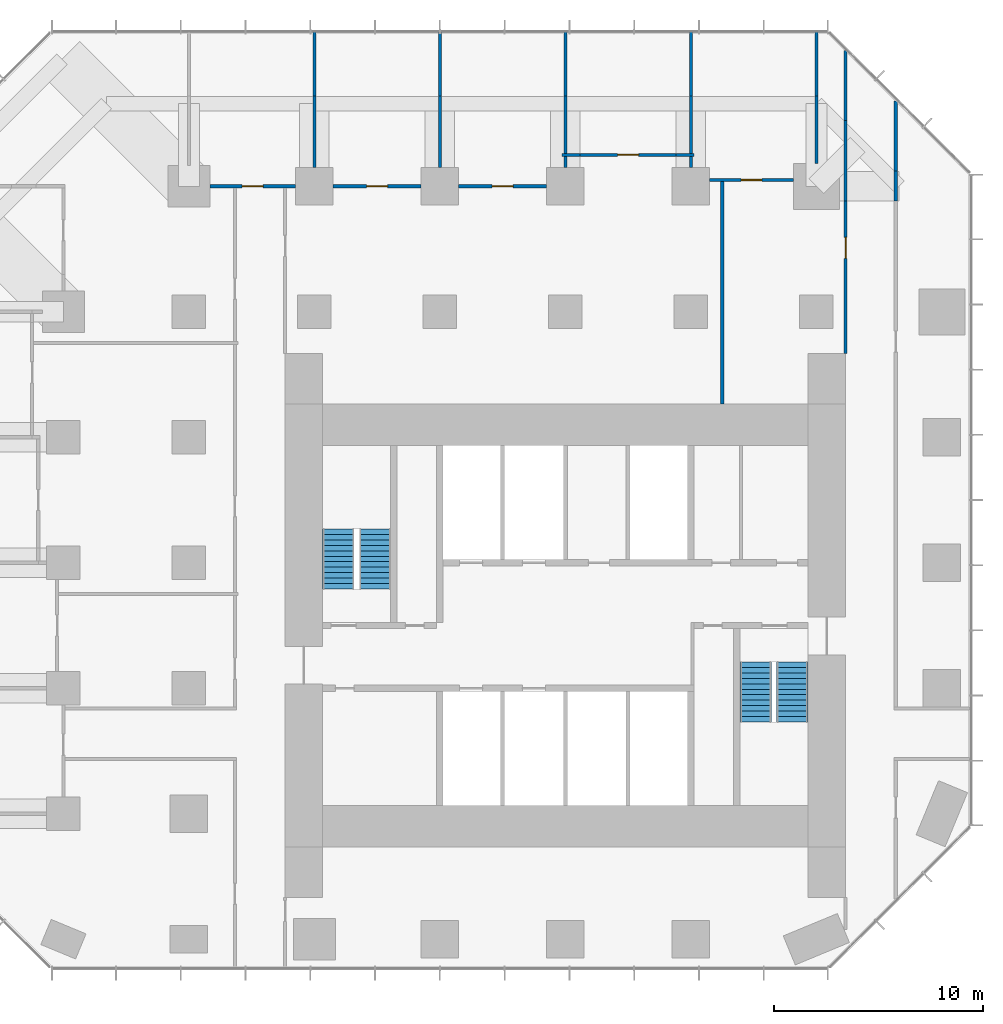
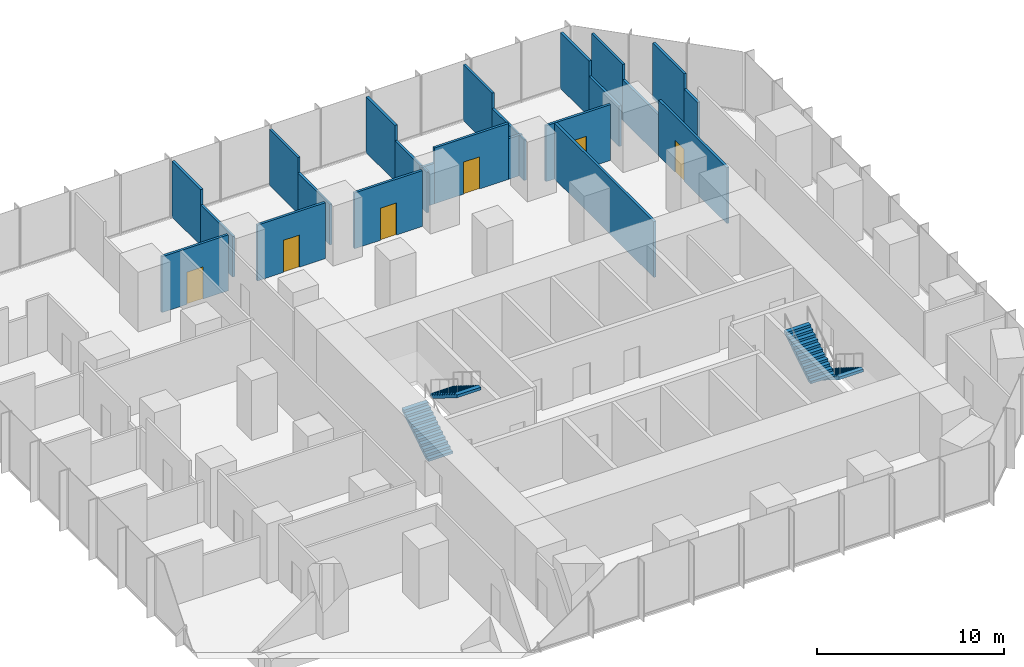
# One storey, part 10 of 11: 25 walls, 6 doors, 4 stair flights, 6 openings, 2 elements without a shape of their own.
"""IFC4 building model written with IfcOpenShell, lengths in metres."""

import ifcopenshell
import ifcopenshell.guid

model = None  # the IFC model being written
_history = None  # IfcOwnerHistory: only IFC2X3 demands one
_inside = {}  # id of a spatial element -> (the spatial element, [elements in it])
_under = {}  # id of a project, library or spatial element -> (it, [spatial elements below it])
_declared = {}  # id of a project -> (the project, [libraries it declares])
_typed = {}  # id of a type object -> (the type object, [elements of that type])
_made_of = {}  # id of a material, layer set ... -> (it, [elements and type objects made of it])


def new_model(schema):
    """Start an empty IFC model of exactly this schema.

    Asked for "IFC4X3", IfcOpenShell would pick the latest addendum, in which some entities
    have other attributes; the version numbers below select the first issue.
    IFC2X3 requires an IfcOwnerHistory on every rooted entity: one is made here for all.
    """
    global model, _history
    if schema == "IFC4X3":
        model = ifcopenshell.file(schema_version=(4, 3, 0, 0))
    else:
        model = ifcopenshell.file(schema=schema)
    _inside.clear()
    _under.clear()
    _declared.clear()
    _typed.clear()
    _made_of.clear()
    _history = None
    if model.schema == "IFC2X3":
        org = make("IfcOrganization", Name="unknown")
        user = make(
            "IfcPersonAndOrganization",
            ThePerson=make("IfcPerson", FamilyName="unknown"),
            TheOrganization=org,
        )
        app = make(
            "IfcApplication",
            ApplicationDeveloper=org,
            Version="unknown",
            ApplicationFullName="unknown",
            ApplicationIdentifier="unknown",
        )
        _history = make(
            "IfcOwnerHistory",
            OwningUser=user,
            OwningApplication=app,
            ChangeAction="ADDED",
            CreationDate=0,
        )
    return model


def make(cls, **values):
    """One entity of the class cls with the attributes given. An attribute that is None is left unset."""
    return model.create_entity(
        cls, **{name: value for name, value in values.items() if value is not None}
    )


def rooted(cls, **values):
    """An entity with a GlobalId (a new one), such as an element, a storey or a relation."""
    return make(cls, GlobalId=ifcopenshell.guid.new(), OwnerHistory=_history, **values)


def si_unit(unit_type, name, prefix=None):
    """IfcSIUnit, for example si_unit("LENGTHUNIT", "METRE", prefix="MILLI")."""
    return make("IfcSIUnit", UnitType=unit_type, Prefix=prefix, Name=name)


def assignment(units):
    """IfcUnitAssignment: the units of a project."""
    return None if units is None else make("IfcUnitAssignment", Units=units)


def point(xyz):
    """IfcCartesianPoint."""
    return None if xyz is None else make("IfcCartesianPoint", Coordinates=xyz)


def direction(xyz):
    """IfcDirection."""
    return None if xyz is None else make("IfcDirection", DirectionRatios=xyz)


def frame(location, z_axis=None, x_axis=None):
    """IfcAxis2Placement3D, a coordinate frame: its origin and axes. An axis left out is left unset."""
    return make(
        "IfcAxis2Placement3D",
        Location=point(location),
        Axis=direction(z_axis),
        RefDirection=direction(x_axis),
    )


def frame_2d(location, x_axis=None):
    """IfcAxis2Placement2D, a coordinate frame in the plane: its origin and x axis."""
    return make(
        "IfcAxis2Placement2D", Location=point(location), RefDirection=direction(x_axis)
    )


def origin():
    """The frame at (0, 0, 0) with its axes left unset."""
    return frame((0.0, 0.0, 0.0))


def place(relative_to, where):
    """IfcLocalPlacement: puts the frame where relative to a parent placement (None: the world)."""
    return make(
        "IfcLocalPlacement", PlacementRelTo=relative_to, RelativePlacement=where
    )


def context(
    kind, dimensions, precision=None, world=None, true_north=None, identifier=None
):
    """IfcGeometricRepresentationContext, for example the 3D "Model" context."""
    return make(
        "IfcGeometricRepresentationContext",
        ContextIdentifier=identifier,
        ContextType=kind,
        CoordinateSpaceDimension=dimensions,
        Precision=precision,
        WorldCoordinateSystem=world,
        TrueNorth=true_north,
    )


def subcontext(parent, identifier, kind, view, scale=None):
    """IfcGeometricRepresentationSubContext, for example "Body" below "Model"."""
    return make(
        "IfcGeometricRepresentationSubContext",
        ContextIdentifier=identifier,
        ContextType=kind,
        ParentContext=parent,
        TargetScale=scale,
        TargetView=view,
    )


def project(units=None, contexts=None):
    """IfcProject with its units and contexts."""
    return rooted(
        "IfcProject",
        Name="project",
        RepresentationContexts=contexts,
        UnitsInContext=assignment(units),
    )


def spatial(cls, under=None, at=None, **own):
    """A site, building, storey or space (cls), placed at a placement, below another one or the project."""
    s = rooted(cls, ObjectPlacement=at, **own)
    if under is not None:
        _under.setdefault(under.id(), (under, []))[1].append(s)
    return s


def polyline(points):
    """IfcPolyline through the points."""
    return make("IfcPolyline", Points=[point(p) for p in points])


def profile(cls, at=None, kind="AREA", **sizes):
    """A parametric profile (cls). Its sizes go by their IFC names, for example OverallWidth=200.0."""
    return make(cls, ProfileType=kind, Position=at, **sizes)


def rectangle(**sizes):
    """IfcRectangleProfileDef."""
    return profile("IfcRectangleProfileDef", **sizes)


def outline(outer, holes=None, kind="AREA"):
    """IfcArbitraryClosedProfileDef: a profile drawn as a closed curve; with holes, ...WithVoids."""
    if holes is None:
        return make("IfcArbitraryClosedProfileDef", ProfileType=kind, OuterCurve=outer)
    return make(
        "IfcArbitraryProfileDefWithVoids",
        ProfileType=kind,
        OuterCurve=outer,
        InnerCurves=holes,
    )


def extrude(swept, where, along, depth):
    """IfcExtrudedAreaSolid: the profile swept, set in the frame where, extruded along a direction by depth."""
    return make(
        "IfcExtrudedAreaSolid",
        SweptArea=swept,
        Position=where,
        ExtrudedDirection=direction(along),
        Depth=depth,
    )


def shape(context_of_items, identifier, shape_type, items):
    """IfcShapeRepresentation: the items that make up one representation, for example the "Body"."""
    return make(
        "IfcShapeRepresentation",
        ContextOfItems=context_of_items,
        RepresentationIdentifier=identifier,
        RepresentationType=shape_type,
        Items=items,
    )


def material(Name=None, Category=None):
    """IfcMaterial."""
    return make("IfcMaterial", Name=Name, Category=Category)


def layer(
    of_material, thickness, ventilated=None, Name=None, Category=None, Priority=None
):
    """IfcMaterialLayer: one layer of a wall or slab, of a material (None: an air gap)."""
    return make(
        "IfcMaterialLayer",
        Material=of_material,
        LayerThickness=thickness,
        IsVentilated=ventilated,
        Name=Name,
        Category=Category,
        Priority=Priority,
    )


def layer_set(layers, Name=None):
    """IfcMaterialLayerSet."""
    return make("IfcMaterialLayerSet", MaterialLayers=layers, LayerSetName=Name)


def made_of(thing, what):
    """Note that an element or type object is made of a material, layer set ...; save() writes the relation."""
    if what is not None:
        _made_of.setdefault(what.id(), (what, []))[1].append(thing)
    return thing


def type_object(cls, material=None, **own):
    """A type object (cls), such as IfcWallType, which elements share."""
    return made_of(rooted(cls, **own), material)


def element(
    cls,
    number,
    at=None,
    inside=None,
    cuts=None,
    type_object=None,
    material=None,
    context=None,
    identifier="Body",
    shape_type=None,
    held_by="IfcProductDefinitionShape",
    body=None,
    shapes=None,
    **own,
):
    """One element of the class cls, such as IfcWall. Its Tag is "e" and its number.

    at: its placement. inside: the storey or other place that contains it. cuts: it is an
    opening in that element (IfcRelVoidsElement). A single representation is given by context,
    identifier, shape_type and body (its items); several are given by shapes. held_by: the class
    of the entity that holds the representations. save() writes the other relations.
    """
    e = rooted(cls, Tag="e%d" % number, ObjectPlacement=at, **own)
    if body is not None:
        shapes = [shape(context, identifier, shape_type, body)]
    if shapes is not None:
        e.Representation = make(held_by, Representations=shapes)
    if inside is not None:
        _inside.setdefault(inside.id(), (inside, []))[1].append(e)
    if cuts is not None:
        rooted(
            "IfcRelVoidsElement", RelatingBuildingElement=cuts, RelatedOpeningElement=e
        )
    if type_object is not None:
        _typed.setdefault(type_object.id(), (type_object, []))[1].append(e)
    return made_of(e, material)


def fill(opening, filler):
    """IfcRelFillsElement: the door or window that sits in an opening."""
    return rooted(
        "IfcRelFillsElement",
        RelatingOpeningElement=opening,
        RelatedBuildingElement=filler,
    )


def aggregate(whole, parts):
    """IfcRelAggregates: a whole, such as a stair, and the parts it consists of."""
    return rooted("IfcRelAggregates", RelatingObject=whole, RelatedObjects=parts)


def save(model, path):
    """Write the relations noted so far, then the file.

    IfcRelAggregates (storeys below a building ...), IfcRelContainedInSpatialStructure (elements
    in a storey), IfcRelDefinesByType, IfcRelAssociatesMaterial and IfcRelDeclares: one each for
    every whole, place, type object, material and project.
    """
    for whole, parts in _under.values():
        aggregate(whole, parts)
    for where, things in _inside.values():
        rooted(
            "IfcRelContainedInSpatialStructure",
            RelatedElements=things,
            RelatingStructure=where,
        )
    for kind, things in _typed.values():
        rooted("IfcRelDefinesByType", RelatedObjects=things, RelatingType=kind)
    for what, things in _made_of.values():
        rooted("IfcRelAssociatesMaterial", RelatedObjects=things, RelatingMaterial=what)
    for by, libraries in _declared.values():
        rooted("IfcRelDeclares", RelatingContext=by, RelatedDefinitions=libraries)
    model.write(path)


model = new_model("IFC4")

# Units and contexts
model_context = context("Model", 3, precision=1e-05, world=origin(), true_north=direction((0.0, 1.0)))
body_context = subcontext(model_context, "Body", "Model", "MODEL_VIEW")
ifc_project = project(units=[si_unit("LENGTHUNIT", "METRE"), si_unit("AREAUNIT", "SQUARE_METRE"), si_unit("VOLUMEUNIT", "CUBIC_METRE"), si_unit("PLANEANGLEUNIT", "RADIAN"), si_unit("MASSUNIT", "GRAM", prefix="KILO")], contexts=[model_context])

# Site, building, storey
site_placement = place(None, origin())
site = spatial("IfcSite", under=ifc_project, at=site_placement, CompositionType="ELEMENT")
building_placement = place(site_placement, origin())
building = spatial("IfcBuilding", under=site, at=building_placement, Name="Highveld Stack Headquarters", CompositionType="ELEMENT")
storey_placement = place(building_placement, frame((0.0, 0.0, 97.699951171875)))
storey = spatial("IfcBuildingStorey", under=building, at=storey_placement, Name="L23", CompositionType="ELEMENT", Elevation=97.699951171875)

# Wall, opening, door
ifc_material_1 = material(Name="Laminated glass in aluminium frame", Category="aluminium")
ifc_layer_1 = layer(ifc_material_1, 0.14990234375)
ifc_layer_set_1 = layer_set([ifc_layer_1], Name="Laminated glass in aluminium frame")
wall_type_1 = type_object("IfcWallType", Name="GLAZED PARTITION 150", PredefinedType="PARTITIONING", material=ifc_layer_set_1)
wall_1_placement = place(storey_placement, frame((12.89990234375, 24.300048828125, 0.0), z_axis=(0.0, 0.0, 1.0), x_axis=(1.0, 0.0, 0.0)))
wall_1 = element("IfcWall", 1, at=wall_1_placement, inside=storey, type_object=wall_type_1, Name="Glazed partition Client meeting room L23", PredefinedType="PARTITIONING", context=body_context, shape_type="SweptSolid", body=[
    extrude(rectangle(XDim=4.0, YDim=0.14990234375, at=frame_2d((2.0, 0.0))), origin(), (0.0, 0.0, 1.0), 3.650146484375),
])
opening_1_placement = place(wall_1_placement, frame((1.5, 0.0, 0.0)))
opening_1 = element("IfcOpeningElement", 2, at=opening_1_placement, cuts=wall_1, Name="Opening L23-20", PredefinedType="OPENING", context=body_context, shape_type="SweptSolid", body=[
    extrude(rectangle(XDim=1.0, YDim=2.10009765625, at=frame_2d((0.5, 1.050048828125))), frame((0.0, 0.0849609375, 0.0), z_axis=(0.0, -1.0, 0.0), x_axis=(1.0, 0.0, 0.0)), (0.0, 0.0, 1.0), 0.169921875),
])
ifc_material_2 = material(Name="Timber door, oiled ash", Category="wood")
door_type = type_object("IfcDoorType", Name="ROOM DOOR D6 1000x2100", OperationType="SINGLE_SWING_LEFT", PredefinedType="DOOR", material=ifc_material_2)
door_1_placement = place(opening_1_placement, origin())
door_1 = element("IfcDoor", 3, at=door_1_placement, inside=storey, type_object=door_type, Name="Client meeting room door 1 L23", OperationType="SINGLE_SWING_LEFT", OverallHeight=2.10009765625, OverallWidth=1.0, PredefinedType="DOOR", context=body_context, shape_type="SweptSolid", body=[
    extrude(rectangle(XDim=1.0, YDim=2.10009765625, at=frame_2d((0.5, 1.050048828125))), frame((0.0, 0.02490234375, 0.0), z_axis=(0.0, -1.0, 0.0), x_axis=(1.0, 0.0, 0.0)), (0.0, 0.0, 1.0), 0.050048828125),
])
fill(opening_1, door_1)

ifc_material_3 = material(Name="Gypsum plasterboard on steel studs", Category="steel")
ifc_layer_2 = layer(ifc_material_3, 0.14990234375)
ifc_layer_set_2 = layer_set([ifc_layer_2], Name="Gypsum plasterboard on steel studs")
wall_type_2 = type_object("IfcWallType", Name="PARTITION 150 PLASTERBOARD", PredefinedType="PARTITIONING", material=ifc_layer_set_2)
wall_2_placement = place(storey_placement, frame((-11.0, 24.0, 0.0), z_axis=(0.0, 0.0, 1.0), x_axis=(1.0, 0.0, 0.0)))
wall_2 = element("IfcWall", 4, at=wall_2_placement, inside=storey, type_object=wall_type_2, Name="Partition Office L23", PredefinedType="PARTITIONING", context=body_context, shape_type="SweptSolid", body=[
    extrude(rectangle(XDim=4.10009765625, YDim=0.14990234375, at=frame_2d((2.050048828125, 0.0))), origin(), (0.0, 0.0, 1.0), 3.650146484375),
])
opening_2_placement = place(wall_2_placement, frame((1.550048828125, 0.0, 0.0)))
opening_2 = element("IfcOpeningElement", 5, at=opening_2_placement, cuts=wall_2, Name="Opening L23-16", PredefinedType="OPENING", context=body_context, shape_type="SweptSolid", body=[
    extrude(rectangle(XDim=1.0, YDim=2.10009765625, at=frame_2d((0.5, 1.050048828125))), frame((0.0, 0.0849609375, 0.0), z_axis=(0.0, -1.0, 0.0), x_axis=(1.0, 0.0, 0.0)), (0.0, 0.0, 1.0), 0.169921875),
])
door_2_placement = place(opening_2_placement, origin())
door_2 = element("IfcDoor", 6, at=door_2_placement, inside=storey, type_object=door_type, Name="Office door 1 L23", OperationType="SINGLE_SWING_RIGHT", OverallHeight=2.10009765625, OverallWidth=1.0, PredefinedType="DOOR", context=body_context, shape_type="SweptSolid", body=[
    extrude(rectangle(XDim=1.0, YDim=2.10009765625, at=frame_2d((0.5, 1.050048828125))), frame((0.0, 0.02490234375, 0.0), z_axis=(0.0, -1.0, 0.0), x_axis=(1.0, 0.0, 0.0)), (0.0, 0.0, 1.0), 0.050048828125),
])
fill(opening_2, door_2)

wall_3_placement = place(storey_placement, frame((-5.10009765625, 24.0, 0.0), z_axis=(0.0, 0.0, 1.0), x_axis=(1.0, 0.0, 0.0)))
wall_3 = element("IfcWall", 7, at=wall_3_placement, inside=storey, type_object=wall_type_2, Name="Partition Office L23", PredefinedType="PARTITIONING", context=body_context, shape_type="SweptSolid", body=[
    extrude(rectangle(XDim=4.2001953125, YDim=0.14990234375, at=frame_2d((2.10009765625, 0.0))), origin(), (0.0, 0.0, 1.0), 3.650146484375),
])
opening_3_placement = place(wall_3_placement, frame((1.60009765625, 0.0, 0.0)))
opening_3 = element("IfcOpeningElement", 8, at=opening_3_placement, cuts=wall_3, Name="Opening L23-17", PredefinedType="OPENING", context=body_context, shape_type="SweptSolid", body=[
    extrude(rectangle(XDim=1.0, YDim=2.10009765625, at=frame_2d((0.5, 1.050048828125))), frame((0.0, 0.0849609375, 0.0), z_axis=(0.0, -1.0, 0.0), x_axis=(1.0, 0.0, 0.0)), (0.0, 0.0, 1.0), 0.169921875),
])
door_3_placement = place(opening_3_placement, origin())
door_3 = element("IfcDoor", 9, at=door_3_placement, inside=storey, type_object=door_type, Name="Office door 1 L23", OperationType="SINGLE_SWING_LEFT", OverallHeight=2.10009765625, OverallWidth=1.0, PredefinedType="DOOR", context=body_context, shape_type="SweptSolid", body=[
    extrude(rectangle(XDim=1.0, YDim=2.10009765625, at=frame_2d((0.5, 1.050048828125))), frame((0.0, 0.02490234375, 0.0), z_axis=(0.0, -1.0, 0.0), x_axis=(1.0, 0.0, 0.0)), (0.0, 0.0, 1.0), 0.050048828125),
])
fill(opening_3, door_3)

wall_4_placement = place(storey_placement, frame((0.89990234375, 24.0, 0.0), z_axis=(0.0, 0.0, 1.0), x_axis=(1.0, 0.0, 0.0)))
wall_4 = element("IfcWall", 10, at=wall_4_placement, inside=storey, type_object=wall_type_2, Name="Partition Office L23", PredefinedType="PARTITIONING", context=body_context, shape_type="SweptSolid", body=[
    extrude(rectangle(XDim=4.2001953125, YDim=0.14990234375, at=frame_2d((2.10009765625, 0.0))), origin(), (0.0, 0.0, 1.0), 3.650146484375),
])
opening_4_placement = place(wall_4_placement, frame((1.60009765625, 0.0, 0.0)))
opening_4 = element("IfcOpeningElement", 11, at=opening_4_placement, cuts=wall_4, Name="Opening L23-18", PredefinedType="OPENING", context=body_context, shape_type="SweptSolid", body=[
    extrude(rectangle(XDim=1.0, YDim=2.10009765625, at=frame_2d((0.5, 1.050048828125))), frame((0.0, 0.0849609375, 0.0), z_axis=(0.0, -1.0, 0.0), x_axis=(1.0, 0.0, 0.0)), (0.0, 0.0, 1.0), 0.169921875),
])
door_4_placement = place(opening_4_placement, origin())
door_4 = element("IfcDoor", 12, at=door_4_placement, inside=storey, type_object=door_type, Name="Office door 1 L23", OperationType="SINGLE_SWING_RIGHT", OverallHeight=2.10009765625, OverallWidth=1.0, PredefinedType="DOOR", context=body_context, shape_type="SweptSolid", body=[
    extrude(rectangle(XDim=1.0, YDim=2.10009765625, at=frame_2d((0.5, 1.050048828125))), frame((0.0, 0.02490234375, 0.0), z_axis=(0.0, -1.0, 0.0), x_axis=(1.0, 0.0, 0.0)), (0.0, 0.0, 1.0), 0.050048828125),
])
fill(opening_4, door_4)

# Wall
wall_5_placement = place(storey_placement, frame((5.85009765625, 25.5, 0.0), z_axis=(0.0, 0.0, 1.0), x_axis=(1.0, 0.0, 0.0)))
element("IfcWall", 13, at=wall_5_placement, inside=storey, type_object=wall_type_2, Name="Partition Quiet room L23", PredefinedType="PARTITIONING", context=body_context, shape_type="SweptSolid", body=[
    extrude(rectangle(XDim=0.85986328125, YDim=0.14990234375, at=frame_2d((0.429931640625, 0.0))), origin(), (0.0, 0.0, 1.0), 2.650146484375),
])

# Wall, opening, door
wall_6_placement = place(storey_placement, frame((6.7099609375, 25.5, 0.0), z_axis=(0.0, 0.0, 1.0), x_axis=(1.0, 0.0, 0.0)))
wall_6 = element("IfcWall", 14, at=wall_6_placement, inside=storey, type_object=wall_type_2, Name="Partition Quiet room L23", PredefinedType="PARTITIONING", context=body_context, shape_type="SweptSolid", body=[
    extrude(rectangle(XDim=4.580078125, YDim=0.14990234375, at=frame_2d((2.2900390625, 0.0))), origin(), (0.0, 0.0, 1.0), 3.650146484375),
])
opening_5_placement = place(wall_6_placement, frame((1.7900390625, 0.0, 0.0)))
opening_5 = element("IfcOpeningElement", 15, at=opening_5_placement, cuts=wall_6, Name="Opening L23-19", PredefinedType="OPENING", context=body_context, shape_type="SweptSolid", body=[
    extrude(rectangle(XDim=1.0, YDim=2.10009765625, at=frame_2d((0.5, 1.050048828125))), frame((0.0, 0.0849609375, 0.0), z_axis=(0.0, -1.0, 0.0), x_axis=(1.0, 0.0, 0.0)), (0.0, 0.0, 1.0), 0.169921875),
])
door_5_placement = place(opening_5_placement, origin())
door_5 = element("IfcDoor", 16, at=door_5_placement, inside=storey, type_object=door_type, Name="Quiet room door 1 L23", OperationType="SINGLE_SWING_RIGHT", OverallHeight=2.10009765625, OverallWidth=1.0, PredefinedType="DOOR", context=body_context, shape_type="SweptSolid", body=[
    extrude(rectangle(XDim=1.0, YDim=2.10009765625, at=frame_2d((0.5, 1.050048828125))), frame((0.0, 0.02490234375, 0.0), z_axis=(0.0, -1.0, 0.0), x_axis=(1.0, 0.0, 0.0)), (0.0, 0.0, 1.0), 0.050048828125),
])
fill(opening_5, door_5)

# Walls
wall_7_placement = place(storey_placement, frame((11.2900390625, 25.5, 0.0), z_axis=(0.0, 0.0, 1.0), x_axis=(1.0, 0.0, 0.0)))
element("IfcWall", 17, at=wall_7_placement, inside=storey, type_object=wall_type_2, Name="Partition Quiet room L23", PredefinedType="PARTITIONING", context=body_context, shape_type="SweptSolid", body=[
    extrude(rectangle(XDim=0.85986328125, YDim=0.14990234375, at=frame_2d((0.429931640625, 0.0))), origin(), (0.0, 0.0, 1.0), 2.650146484375),
])
wall_8_placement = place(storey_placement, frame((-6.0, 24.89990234375, 0.0), z_axis=(0.0, 0.0, 1.0), x_axis=(0.0, 1.0, 0.0)))
element("IfcWall", 18, at=wall_8_placement, inside=storey, type_object=wall_type_2, Name="Partition Office L23", PredefinedType="PARTITIONING", context=body_context, shape_type="SweptSolid", body=[
    extrude(rectangle(XDim=3.41015625, YDim=0.14990234375, at=frame_2d((1.705078125, 0.0))), origin(), (0.0, 0.0, 1.0), 2.650146484375),
])
wall_9_placement = place(storey_placement, frame((-6.0, 28.31005859375, 0.0), z_axis=(0.0, 0.0, 1.0), x_axis=(0.0, 1.0, 0.0)))
element("IfcWall", 19, at=wall_9_placement, inside=storey, type_object=wall_type_2, Name="Partition Office L23", PredefinedType="PARTITIONING", context=body_context, shape_type="SweptSolid", body=[
    extrude(rectangle(XDim=3.08984375, YDim=0.14990234375, at=frame_2d((1.544921875, 0.0))), origin(), (0.0, 0.0, 1.0), 3.650146484375),
])
wall_10_placement = place(storey_placement, frame((0.0, 24.89990234375, 0.0), z_axis=(0.0, 0.0, 1.0), x_axis=(0.0, 1.0, 0.0)))
element("IfcWall", 20, at=wall_10_placement, inside=storey, type_object=wall_type_2, Name="Partition Office L23", PredefinedType="PARTITIONING", context=body_context, shape_type="SweptSolid", body=[
    extrude(rectangle(XDim=3.41015625, YDim=0.14990234375, at=frame_2d((1.705078125, 0.0))), origin(), (0.0, 0.0, 1.0), 2.650146484375),
])
wall_11_placement = place(storey_placement, frame((0.0, 28.31005859375, 0.0), z_axis=(0.0, 0.0, 1.0), x_axis=(0.0, 1.0, 0.0)))
element("IfcWall", 21, at=wall_11_placement, inside=storey, type_object=wall_type_2, Name="Partition Office L23", PredefinedType="PARTITIONING", context=body_context, shape_type="SweptSolid", body=[
    extrude(rectangle(XDim=3.0400390625, YDim=0.14990234375, at=frame_2d((1.52001953125, 0.0))), origin(), (0.0, 0.0, 1.0), 3.650146484375),
])
wall_12_placement = place(storey_placement, frame((6.0, 24.89990234375, 0.0), z_axis=(0.0, 0.0, 1.0), x_axis=(0.0, 1.0, 0.0)))
element("IfcWall", 22, at=wall_12_placement, inside=storey, type_object=wall_type_2, Name="Partition Office L23", PredefinedType="PARTITIONING", context=body_context, shape_type="SweptSolid", body=[
    extrude(rectangle(XDim=0.525146484375, YDim=0.14990234375, at=frame_2d((0.2626953125, 0.0))), origin(), (0.0, 0.0, 1.0), 2.650146484375),
])
wall_13_placement = place(storey_placement, frame((6.0, 25.574951171875, 0.0), z_axis=(0.0, 0.0, 1.0), x_axis=(0.0, 1.0, 0.0)))
element("IfcWall", 23, at=wall_13_placement, inside=storey, type_object=wall_type_2, Name="Partition Office / Quiet room L23", PredefinedType="PARTITIONING", context=body_context, shape_type="SweptSolid", body=[
    extrude(rectangle(XDim=2.735107421875, YDim=0.14990234375, at=frame_2d((1.36767578125, 0.0))), origin(), (0.0, 0.0, 1.0), 2.650146484375),
])
wall_14_placement = place(storey_placement, frame((6.0, 28.31005859375, 0.0), z_axis=(0.0, 0.0, 1.0), x_axis=(0.0, 1.0, 0.0)))
element("IfcWall", 24, at=wall_14_placement, inside=storey, type_object=wall_type_2, Name="Partition Office / Quiet room L23", PredefinedType="PARTITIONING", context=body_context, shape_type="SweptSolid", body=[
    extrude(rectangle(XDim=3.08984375, YDim=0.14990234375, at=frame_2d((1.544921875, 0.0))), origin(), (0.0, 0.0, 1.0), 3.650146484375),
])
wall_15_placement = place(storey_placement, frame((12.0, 24.89990234375, 0.0), z_axis=(0.0, 0.0, 1.0), x_axis=(0.0, 1.0, 0.0)))
element("IfcWall", 25, at=wall_15_placement, inside=storey, type_object=wall_type_2, Name="Partition Client meeting room L23", PredefinedType="PARTITIONING", context=body_context, shape_type="SweptSolid", body=[
    extrude(rectangle(XDim=0.525146484375, YDim=0.14990234375, at=frame_2d((0.2626953125, 0.0))), origin(), (0.0, 0.0, 1.0), 2.650146484375),
])
wall_16_placement = place(storey_placement, frame((12.0, 25.574951171875, 0.0), z_axis=(0.0, 0.0, 1.0), x_axis=(0.0, 1.0, 0.0)))
element("IfcWall", 26, at=wall_16_placement, inside=storey, type_object=wall_type_2, Name="Partition Client meeting room / Quiet room L23", PredefinedType="PARTITIONING", context=body_context, shape_type="SweptSolid", body=[
    extrude(rectangle(XDim=2.735107421875, YDim=0.14990234375, at=frame_2d((1.36767578125, 0.0))), origin(), (0.0, 0.0, 1.0), 2.650146484375),
])
wall_17_placement = place(storey_placement, frame((12.0, 28.31005859375, 0.0), z_axis=(0.0, 0.0, 1.0), x_axis=(0.0, 1.0, 0.0)))
element("IfcWall", 27, at=wall_17_placement, inside=storey, type_object=wall_type_2, Name="Partition Client meeting room / Quiet room L23", PredefinedType="PARTITIONING", context=body_context, shape_type="SweptSolid", body=[
    extrude(rectangle(XDim=3.08984375, YDim=0.14990234375, at=frame_2d((1.544921875, 0.0))), origin(), (0.0, 0.0, 1.0), 3.650146484375),
])
wall_18_placement = place(storey_placement, frame((18.0, 25.10009765625, 0.0), z_axis=(0.0, 0.0, 1.0), x_axis=(0.0, 1.0, 0.0)))
element("IfcWall", 28, at=wall_18_placement, inside=storey, type_object=wall_type_2, Name="Partition Client meeting room L23", PredefinedType="PARTITIONING", context=body_context, shape_type="SweptSolid", body=[
    extrude(rectangle(XDim=3.2099609375, YDim=0.14990234375, at=frame_2d((1.60498046875, 0.0))), origin(), (0.0, 0.0, 1.0), 2.650146484375),
])
wall_19_placement = place(storey_placement, frame((18.0, 28.31005859375, 0.0), z_axis=(0.0, 0.0, 1.0), x_axis=(0.0, 1.0, 0.0)))
element("IfcWall", 29, at=wall_19_placement, inside=storey, type_object=wall_type_2, Name="Partition Client meeting room L23", PredefinedType="PARTITIONING", context=body_context, shape_type="SweptSolid", body=[
    extrude(rectangle(XDim=3.08984375, YDim=0.14990234375, at=frame_2d((1.544921875, 0.0))), origin(), (0.0, 0.0, 1.0), 3.650146484375),
])
wall_20_placement = place(storey_placement, frame((13.5, 13.60009765625, 0.0), z_axis=(0.0, 0.0, 1.0), x_axis=(0.0, 1.0, 0.0)))
element("IfcWall", 30, at=wall_20_placement, inside=storey, type_object=wall_type_2, Name="Partition office neighbourhood L23", PredefinedType="PARTITIONING", context=body_context, shape_type="SweptSolid", body=[
    extrude(rectangle(XDim=10.625, YDim=0.14990234375, at=frame_2d((5.3125, 0.0))), origin(), (0.0, 0.0, 1.0), 3.650146484375),
])

# Wall, opening, door
wall_21_placement = place(storey_placement, frame((19.39990234375, 16.0, 0.0), z_axis=(0.0, 0.0, 1.0), x_axis=(0.0, 1.0, 0.0)))
wall_21 = element("IfcWall", 31, at=wall_21_placement, inside=storey, type_object=wall_type_2, Name="Partition office neighbourhood L23", PredefinedType="PARTITIONING", context=body_context, shape_type="SweptSolid", body=[
    extrude(rectangle(XDim=7.2900390625, YDim=0.14990234375, at=frame_2d((3.64501953125, 0.0))), origin(), (0.0, 0.0, 1.0), 3.650146484375),
])
opening_6_placement = place(wall_21_placement, frame((4.553955078125, 0.0, 0.0)))
opening_6 = element("IfcOpeningElement", 32, at=opening_6_placement, cuts=wall_21, Name="Opening L23-26", PredefinedType="OPENING", context=body_context, shape_type="SweptSolid", body=[
    extrude(rectangle(XDim=1.0, YDim=2.10009765625, at=frame_2d((0.5, 1.050048828125))), frame((0.0, 0.0849609375, 0.0), z_axis=(0.0, -1.0, 0.0), x_axis=(1.0, 0.0, 0.0)), (0.0, 0.0, 1.0), 0.169921875),
])
door_6_placement = place(opening_6_placement, origin())
door_6 = element("IfcDoor", 33, at=door_6_placement, inside=storey, type_object=door_type, Name="Office neighbourhood door L23", OperationType="SINGLE_SWING_RIGHT", OverallHeight=2.10009765625, OverallWidth=1.0, PredefinedType="DOOR", context=body_context, shape_type="SweptSolid", body=[
    extrude(rectangle(XDim=1.0, YDim=2.10009765625, at=frame_2d((0.5, 1.050048828125))), frame((0.0, 0.02490234375, 0.0), z_axis=(0.0, -1.0, 0.0), x_axis=(1.0, 0.0, 0.0)), (0.0, 0.0, 1.0), 0.050048828125),
])
fill(opening_6, door_6)

# Walls
wall_22_placement = place(storey_placement, frame((19.39990234375, 23.2900390625, 0.0), z_axis=(0.0, 0.0, 1.0), x_axis=(0.0, 1.0, 0.0)))
element("IfcWall", 34, at=wall_22_placement, inside=storey, type_object=wall_type_2, Name="Partition office neighbourhood L23", PredefinedType="PARTITIONING", context=body_context, shape_type="SweptSolid", body=[
    extrude(rectangle(XDim=3.849853515625, YDim=0.14990234375, at=frame_2d((1.9248046875, 0.0))), origin(), (0.0, 0.0, 1.0), 2.650146484375),
])
wall_23_placement = place(storey_placement, frame((19.39990234375, 27.139892578125, 0.0), z_axis=(0.0, 0.0, 1.0), x_axis=(0.0, 1.0, 0.0)))
element("IfcWall", 35, at=wall_23_placement, inside=storey, type_object=wall_type_2, Name="Partition office neighbourhood L23", PredefinedType="PARTITIONING", context=body_context, shape_type="SweptSolid", body=[
    extrude(rectangle(XDim=3.34912109375, YDim=0.14990234375, at=frame_2d((1.674560546875, 0.0))), origin(), (0.0, 0.0, 1.0), 3.650146484375),
])
wall_24_placement = place(storey_placement, frame((21.800048828125, 23.2900390625, 0.0), z_axis=(0.0, 0.0, 1.0), x_axis=(0.0, 1.0, 0.0)))
element("IfcWall", 36, at=wall_24_placement, inside=storey, type_object=wall_type_2, Name="Partition office neighbourhood L23", PredefinedType="PARTITIONING", context=body_context, shape_type="SweptSolid", body=[
    extrude(rectangle(XDim=1.449951171875, YDim=0.14990234375, at=frame_2d((0.72509765625, 0.0))), origin(), (0.0, 0.0, 1.0), 2.650146484375),
])
wall_25_placement = place(storey_placement, frame((21.800048828125, 24.739990234375, 0.0), z_axis=(0.0, 0.0, 1.0), x_axis=(0.0, 1.0, 0.0)))
element("IfcWall", 37, at=wall_25_placement, inside=storey, type_object=wall_type_2, Name="Partition office neighbourhood L23", PredefinedType="PARTITIONING", context=body_context, shape_type="SweptSolid", body=[
    extrude(rectangle(XDim=3.34912109375, YDim=0.14990234375, at=frame_2d((1.674560546875, 0.0))), origin(), (0.0, 0.0, 1.0), 3.650146484375),
])

# Stair, stair flights
ifc_material_4 = material(Name="Concrete C40/50, precast", Category="concrete")
stair_type_1 = type_object("IfcStairType", Name="STAIR S1 HALF TURN 1500", PredefinedType="HALF_TURN_STAIR", material=ifc_material_4)
stair_1_placement = place(storey_placement, origin())
stair_1 = element("IfcStair", 38, at=stair_1_placement, inside=storey, type_object=stair_type_1, Name="Stair S1 L23", PredefinedType="HALF_TURN_STAIR")
ifc_material_5 = material(Name="Concrete C40/50, precast", Category="concrete")
stair_flight_type = type_object("IfcStairFlightType", Name="STAIR FLIGHT 1500 PRECAST", PredefinedType="STRAIGHT", material=ifc_material_5)
stair_flight_1_placement = place(storey_placement, frame((-4.85009765625, 4.75, 0.0), z_axis=(0.0, 0.0, 1.0), x_axis=(0.0, 1.0, 0.0)))
stair_flight_1 = element("IfcStairFlight", 39, at=stair_flight_1_placement, type_object=stair_flight_type, Name="S1 flight 1", NumberOfRisers=12, NumberOfTreads=11, PredefinedType="STRAIGHT", RiserHeight=0.1625, TreadLength=0.26, context=body_context, shape_type="SweptSolid", body=[
    extrude(outline(polyline([(0.0, 0.0), (0.0, 0.16259765625), (0.260009765625, 0.16259765625), (0.260009765625, 0.324951171875), (0.52001953125, 0.324951171875), (0.52001953125, 0.487548828125), (0.780029296875, 0.487548828125), (0.780029296875, 0.64990234375), (1.0400390625, 0.64990234375), (1.0400390625, 0.8125), (1.300048828125, 0.8125), (1.300048828125, 0.97509765625), (1.56005859375, 0.97509765625), (1.56005859375, 1.137451171875), (1.820068359375, 1.137451171875), (1.820068359375, 1.300048828125), (2.080078125, 1.300048828125), (2.080078125, 1.46240234375), (2.340087890625, 1.46240234375), (2.340087890625, 1.625), (2.60009765625, 1.625), (2.60009765625, 1.78759765625), (2.860107421875, 1.78759765625), (2.860107421875, 1.949951171875), (2.860107421875, 1.61083984375), (0.28271484375, 0.0), (0.0, 0.0)])), frame((0.0, 0.75, 0.0), z_axis=(0.0, -1.0, 0.0), x_axis=(1.0, 0.0, 0.0)), (0.0, 0.0, 1.0), 1.5),
])
stair_flight_2_placement = place(storey_placement, frame((-3.10009765625, 7.610107421875, 1.949951171875), z_axis=(0.0, 0.0, 1.0), x_axis=(0.0, -1.0, 0.0)))
stair_flight_2 = element("IfcStairFlight", 40, at=stair_flight_2_placement, type_object=stair_flight_type, Name="S1 flight 2", NumberOfRisers=12, NumberOfTreads=11, PredefinedType="STRAIGHT", RiserHeight=0.1625, TreadLength=0.26, context=body_context, shape_type="SweptSolid", body=[
    extrude(outline(polyline([(0.0, 0.0), (0.0, 0.16259765625), (0.260009765625, 0.16259765625), (0.260009765625, 0.324951171875), (0.52001953125, 0.324951171875), (0.52001953125, 0.487548828125), (0.780029296875, 0.487548828125), (0.780029296875, 0.64990234375), (1.0400390625, 0.64990234375), (1.0400390625, 0.8125), (1.300048828125, 0.8125), (1.300048828125, 0.97509765625), (1.56005859375, 0.97509765625), (1.56005859375, 1.137451171875), (1.820068359375, 1.137451171875), (1.820068359375, 1.300048828125), (2.080078125, 1.300048828125), (2.080078125, 1.46240234375), (2.340087890625, 1.46240234375), (2.340087890625, 1.625), (2.60009765625, 1.625), (2.60009765625, 1.78759765625), (2.860107421875, 1.78759765625), (2.860107421875, 1.949951171875), (2.860107421875, 1.61083984375), (0.28271484375, 0.0), (0.0, 0.0)])), frame((0.0, 0.75, 0.0), z_axis=(0.0, -1.0, 0.0), x_axis=(1.0, 0.0, 0.0)), (0.0, 0.0, 1.0), 1.5),
])
aggregate(stair_1, [stair_flight_1, stair_flight_2])

ifc_material_6 = material(Name="Concrete C40/50, precast", Category="concrete")
stair_type_2 = type_object("IfcStairType", Name="STAIR S2 HALF TURN 1500", PredefinedType="HALF_TURN_STAIR", material=ifc_material_6)
stair_2_placement = place(storey_placement, origin())
stair_2 = element("IfcStair", 41, at=stair_2_placement, inside=storey, type_object=stair_type_2, Name="Stair S2 L23", PredefinedType="HALF_TURN_STAIR")
stair_flight_3_placement = place(storey_placement, frame((16.85009765625, 1.25, 0.0), z_axis=(0.0, 0.0, 1.0), x_axis=(0.0, -1.0, 0.0)))
stair_flight_3 = element("IfcStairFlight", 42, at=stair_flight_3_placement, type_object=stair_flight_type, Name="S2 flight 1", NumberOfRisers=12, NumberOfTreads=11, PredefinedType="STRAIGHT", RiserHeight=0.1625, TreadLength=0.26, context=body_context, shape_type="SweptSolid", body=[
    extrude(outline(polyline([(0.0, 0.0), (0.0, 0.16259765625), (0.260009765625, 0.16259765625), (0.260009765625, 0.324951171875), (0.52001953125, 0.324951171875), (0.52001953125, 0.487548828125), (0.780029296875, 0.487548828125), (0.780029296875, 0.64990234375), (1.0400390625, 0.64990234375), (1.0400390625, 0.8125), (1.300048828125, 0.8125), (1.300048828125, 0.97509765625), (1.56005859375, 0.97509765625), (1.56005859375, 1.137451171875), (1.820068359375, 1.137451171875), (1.820068359375, 1.300048828125), (2.080078125, 1.300048828125), (2.080078125, 1.46240234375), (2.340087890625, 1.46240234375), (2.340087890625, 1.625), (2.60009765625, 1.625), (2.60009765625, 1.78759765625), (2.860107421875, 1.78759765625), (2.860107421875, 1.949951171875), (2.860107421875, 1.61083984375), (0.28271484375, 0.0), (0.0, 0.0)])), frame((0.0, 0.75, 0.0), z_axis=(0.0, -1.0, 0.0), x_axis=(1.0, 0.0, 0.0)), (0.0, 0.0, 1.0), 1.5),
])
stair_flight_4_placement = place(storey_placement, frame((15.10009765625, -1.610107421875, 1.949951171875), z_axis=(0.0, 0.0, 1.0), x_axis=(0.0, 1.0, 0.0)))
stair_flight_4 = element("IfcStairFlight", 43, at=stair_flight_4_placement, type_object=stair_flight_type, Name="S2 flight 2", NumberOfRisers=12, NumberOfTreads=11, PredefinedType="STRAIGHT", RiserHeight=0.1625, TreadLength=0.26, context=body_context, shape_type="SweptSolid", body=[
    extrude(outline(polyline([(0.0, 0.0), (0.0, 0.16259765625), (0.260009765625, 0.16259765625), (0.260009765625, 0.324951171875), (0.52001953125, 0.324951171875), (0.52001953125, 0.487548828125), (0.780029296875, 0.487548828125), (0.780029296875, 0.64990234375), (1.0400390625, 0.64990234375), (1.0400390625, 0.8125), (1.300048828125, 0.8125), (1.300048828125, 0.97509765625), (1.56005859375, 0.97509765625), (1.56005859375, 1.137451171875), (1.820068359375, 1.137451171875), (1.820068359375, 1.300048828125), (2.080078125, 1.300048828125), (2.080078125, 1.46240234375), (2.340087890625, 1.46240234375), (2.340087890625, 1.625), (2.60009765625, 1.625), (2.60009765625, 1.78759765625), (2.860107421875, 1.78759765625), (2.860107421875, 1.949951171875), (2.860107421875, 1.61083984375), (0.28271484375, 0.0), (0.0, 0.0)])), frame((0.0, 0.75, 0.0), z_axis=(0.0, -1.0, 0.0), x_axis=(1.0, 0.0, 0.0)), (0.0, 0.0, 1.0), 1.5),
])
aggregate(stair_2, [stair_flight_3, stair_flight_4])

save(model, "model.ifc")
